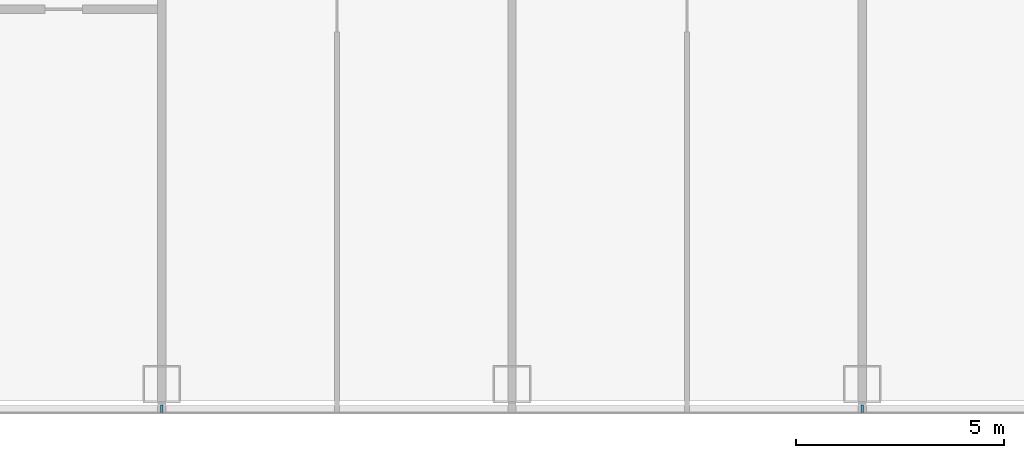
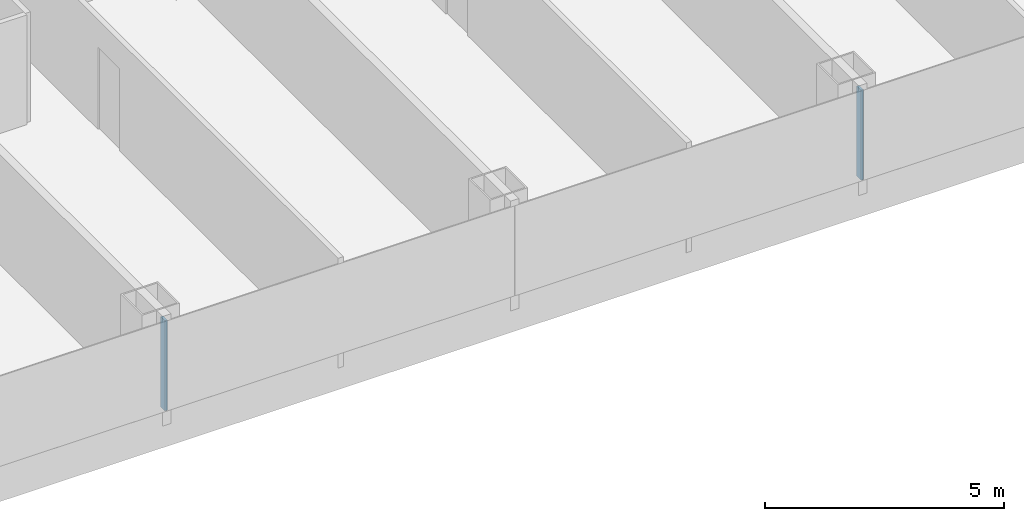
# One storey, part 4 of 28: 2 members, 1 element without a shape of its own.
"""IFC4 building model written with IfcOpenShell, lengths in metres."""

from ifc_helpers import new_model, si_unit, direction, frame, origin, origin_2d, place, context, subcontext, project, spatial, rectangle, extrude, material, layer, layer_set, material_profile, profile_set, type_object, element, aggregate, save


model = new_model("IFC4")

# Units and contexts
model_context = context("Model", 3, precision=1e-05, world=origin(), true_north=direction((0.0, 1.0)))
body_context = subcontext(model_context, "Body", "Model", "MODEL_VIEW")
ifc_project = project(units=[si_unit("LENGTHUNIT", "METRE"), si_unit("AREAUNIT", "SQUARE_METRE"), si_unit("VOLUMEUNIT", "CUBIC_METRE"), si_unit("PLANEANGLEUNIT", "RADIAN"), si_unit("MASSUNIT", "GRAM", prefix="KILO")], contexts=[model_context])

# Site, building, storey
site_placement = place(None, origin())
site = spatial("IfcSite", under=ifc_project, at=site_placement, CompositionType="ELEMENT")
building_placement = place(site_placement, origin())
building = spatial("IfcBuilding", under=site, at=building_placement, Name="Hakoniwa Tower and Hamabe Station Hall", CompositionType="ELEMENT")
storey_placement = place(building_placement, frame((0.0, 0.0, 48.60009765625)))
storey = spatial("IfcBuildingStorey", under=building, at=storey_placement, Name="L13", CompositionType="ELEMENT", Elevation=48.60009765625)

# Curtain wall, members
ifc_material_1 = material(Name="Dark low-e laminated glass", Category="glass")
ifc_layer = layer(ifc_material_1, 0.199951171875)
ifc_layer_set = layer_set([ifc_layer], Name="CW-1 UNITISED GUEST")
curtain_wall_type = type_object("IfcCurtainWallType", Name="CW-1 UNITISED GUEST", PredefinedType="NOTDEFINED", material=ifc_layer_set)
curtain_wall_placement = place(storey_placement, origin())
curtain_wall = element("IfcCurtainWall", 1, at=curtain_wall_placement, inside=storey, type_object=curtain_wall_type, Name="CW-1 curtain wall", PredefinedType="NOTDEFINED")
ifc_material_2 = material(Name="Aluminium 6063-T5 black anodised", Category="aluminium")
ifc_material_profile = material_profile(ifc_material_2, rectangle(XDim=0.06005859375, YDim=0.179931640625, at=origin_2d()), Name="CW-1 MULLION 60X180")
ifc_profile_set = profile_set([ifc_material_profile], Name="Aluminium 6063-T5 black anodised")
member_type = type_object("IfcMemberType", Name="CW-1 MULLION 60X180", PredefinedType="MULLION", material=ifc_profile_set)
member_1_placement = place(storey_placement, frame((-16.800048828125, -20.181884765625, 0.349853515625), z_axis=(0.0, 0.0, 1.0), x_axis=(1.0, 0.0, 0.0)))
member_1 = element("IfcMember", 2, at=member_1_placement, type_object=member_type, Name="CW-1 mullion", PredefinedType="MULLION", context=body_context, shape_type="SweptSolid", body=[
    extrude(rectangle(XDim=0.06005859375, YDim=0.179931640625, at=origin_2d()), origin(), (0.0, 0.0, 1.0), 2.300048828125),
])
member_2_placement = place(storey_placement, frame((0.0, -20.181884765625, 0.349853515625), z_axis=(0.0, 0.0, 1.0), x_axis=(1.0, 0.0, 0.0)))
member_2 = element("IfcMember", 3, at=member_2_placement, type_object=member_type, Name="CW-1 mullion", PredefinedType="MULLION", context=body_context, shape_type="SweptSolid", body=[
    extrude(rectangle(XDim=0.06005859375, YDim=0.179931640625, at=origin_2d()), origin(), (0.0, 0.0, 1.0), 2.300048828125),
])
aggregate(curtain_wall, [member_1, member_2])

save(model, "model.ifc")
